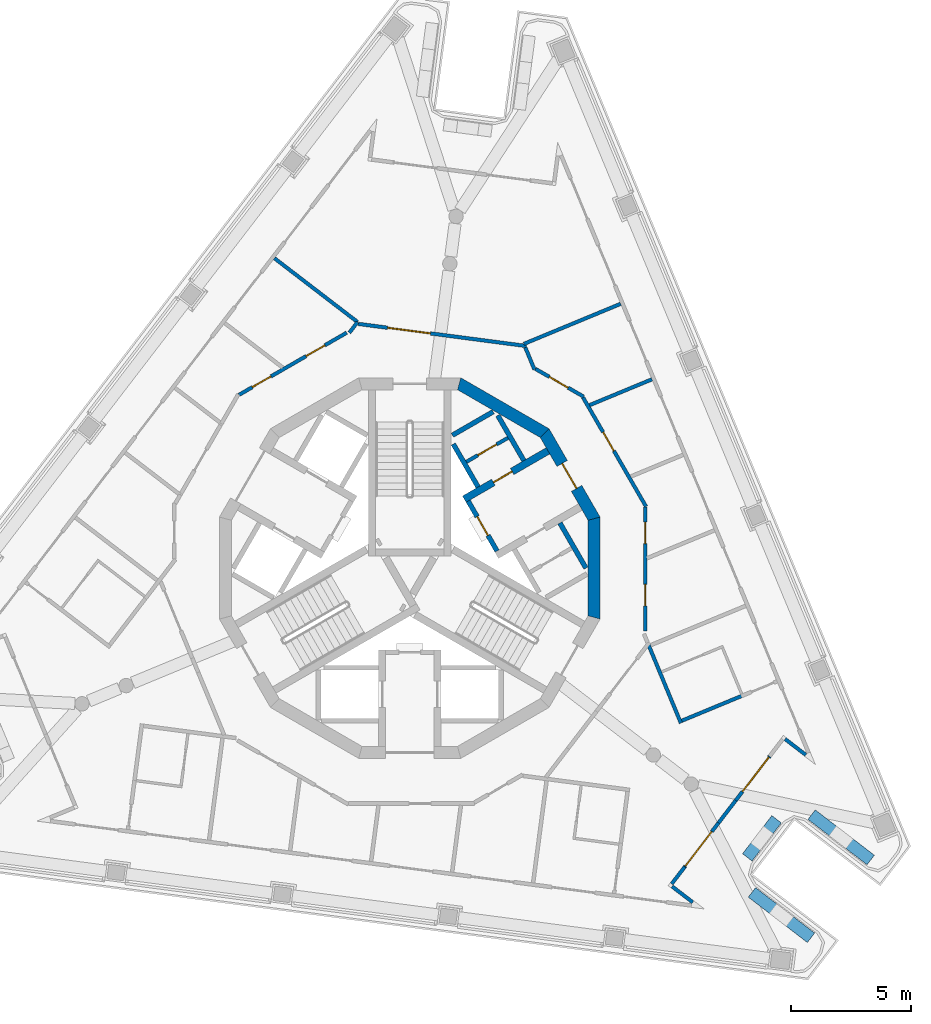
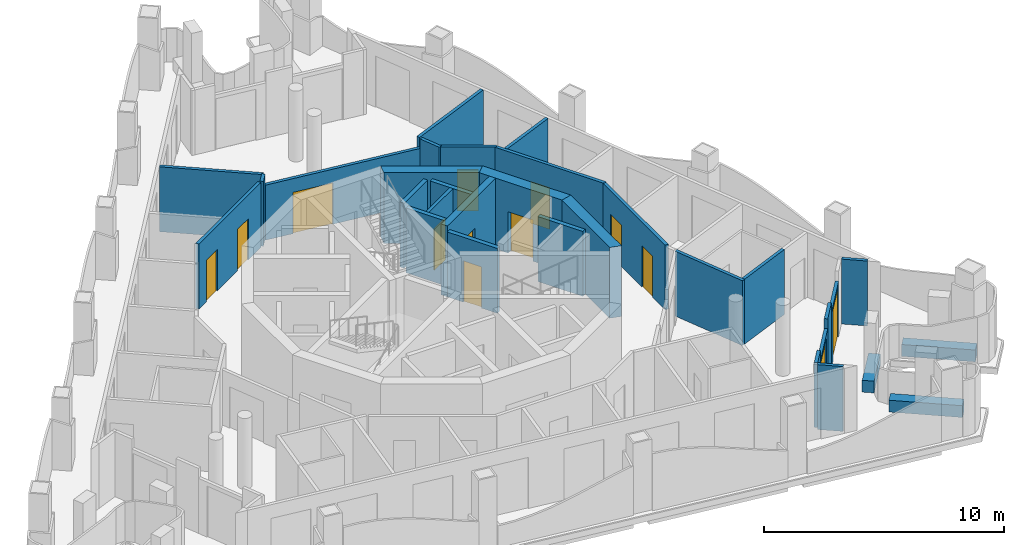
# One storey, part 5 of 12: 31 walls, 13 doors, 13 openings.
"""IFC4 building model written with IfcOpenShell, lengths in metres."""

from ifc_helpers import new_model, si_unit, direction, frame, frame_2d, origin, place, context, subcontext, project, spatial, polyline, rectangle, outline, extrude, material, layer, layer_set, type_object, element, fill, save


model = new_model("IFC4")

# Units and contexts
model_context = context("Model", 3, precision=1e-05, world=origin(), true_north=direction((0.0, 1.0)))
body_context = subcontext(model_context, "Body", "Model", "MODEL_VIEW")
ifc_project = project(units=[si_unit("LENGTHUNIT", "METRE"), si_unit("AREAUNIT", "SQUARE_METRE"), si_unit("VOLUMEUNIT", "CUBIC_METRE"), si_unit("PLANEANGLEUNIT", "RADIAN"), si_unit("MASSUNIT", "GRAM", prefix="KILO")], contexts=[model_context])

# Site, building, storey
site_placement = place(None, origin())
site = spatial("IfcSite", under=ifc_project, at=site_placement, CompositionType="ELEMENT")
building_placement = place(site_placement, origin())
building = spatial("IfcBuilding", under=site, at=building_placement, Name="Trine Commons Tower", CompositionType="ELEMENT")
storey_placement = place(building_placement, frame((0.0, 0.0, 279.0)))
storey = spatial("IfcBuildingStorey", under=building, at=storey_placement, Name="L73", CompositionType="ELEMENT", Elevation=279.0)

# Wall, opening, door
ifc_material_1 = material(Name="Plasterboard partition on steel studs", Category="steel")
ifc_layer_1 = layer(ifc_material_1, 0.14990234375)
ifc_layer_set_1 = layer_set([ifc_layer_1], Name="Plasterboard partition on steel studs")
wall_type_1 = type_object("IfcWallType", Name="Core room partition 150 mm, EI 60", PredefinedType="PARTITIONING", material=ifc_layer_set_1)
wall_1_placement = place(storey_placement, frame((82.35498046875, 66.919921875, 0.0), z_axis=(0.0, 0.0, 1.0), x_axis=(0.866010750942, 0.50002537861, 0.0)))
wall_1 = element("IfcWall", 1, at=wall_1_placement, inside=storey, type_object=wall_type_1, Name="Core room partition L73", PredefinedType="PARTITIONING", context=body_context, shape_type="SweptSolid", body=[
    extrude(rectangle(XDim=2.0, YDim=0.14990234375, at=frame_2d((1.0, 0.0))), origin(), (0.0, 0.0, 1.0), 3.300048828125),
])
opening_1_placement = place(wall_1_placement, frame((0.550537109375, 0.0, 0.0)))
opening_1 = element("IfcOpeningElement", 2, at=opening_1_placement, cuts=wall_1, Name="Opening K19.11", PredefinedType="OPENING", context=body_context, shape_type="SweptSolid", body=[
    extrude(rectangle(XDim=0.89990234375, YDim=2.10009765625, at=frame_2d((0.449951171875, 1.050048828125))), frame((0.0, 0.0849609375, 0.0), z_axis=(0.0, -1.0, 0.0), x_axis=(1.0, 0.0, 0.0)), (0.0, 0.0, 1.0), 0.169921875),
])
ifc_material_2 = material(Name="Steel door leaf, fire-rated", Category="steel")
door_type_1 = type_object("IfcDoorType", Name="Core room door, single leaf 900 x 2100, FD30S", OperationType="SINGLE_SWING_LEFT", PredefinedType="DOOR", material=ifc_material_2)
door_1_placement = place(opening_1_placement, origin())
door_1 = element("IfcDoor", 3, at=door_1_placement, inside=storey, type_object=door_type_1, Name="Door to Comms room L73", OperationType="SINGLE_SWING_RIGHT", OverallHeight=2.10009765625, OverallWidth=0.89990234375, PredefinedType="DOOR", context=body_context, shape_type="SweptSolid", body=[
    extrude(rectangle(XDim=0.89990234375, YDim=2.10009765625, at=frame_2d((0.449951171875, 1.050048828125))), frame((0.0, 0.02490234375, 0.0), z_axis=(0.0, -1.0, 0.0), x_axis=(1.0, 0.0, 0.0)), (0.0, 0.0, 1.0), 0.050048828125),
])
fill(opening_1, door_1)

# Wall
ifc_material_3 = material(Name="Aluminium-framed insulated wall panel", Category="aluminium")
ifc_layer_2 = layer(ifc_material_3, 0.14990234375)
ifc_layer_set_2 = layer_set([ifc_layer_2], Name="Aluminium-framed insulated wall panel")
wall_type_2 = type_object("IfcWallType", Name="Glazed frame wall 150, EI 60", PredefinedType="SOLIDWALL", material=ifc_layer_set_2)
wall_2_placement = place(storey_placement, frame((96.600830078125, 54.633544921875, 0.0), z_axis=(0.0, 0.0, 1.0), x_axis=(-0.793352136239, 0.608762998157, 0.0)))
element("IfcWall", 4, at=wall_2_placement, inside=storey, type_object=wall_type_2, Name="Glazed frame wall R6", PredefinedType="SOLIDWALL", context=body_context, shape_type="SweptSolid", body=[
    extrude(outline(polyline([(0.1494140625, 0.074951171875), (0.1494140625, -0.074951171875), (1.235107421875, -0.074951171875), (1.235107421875, 0.074951171875), (0.1494140625, 0.074951171875)])), origin(), (0.0, 0.0, 1.0), 3.300048828125),
])

# Wall, opening, door
wall_3_placement = place(storey_placement, frame((94.97412109375, 54.665283203125, 0.0), z_axis=(0.0, 0.0, 1.0), x_axis=(-0.608821878019, -0.793306952475, 0.0)))
wall_3 = element("IfcWall", 5, at=wall_3_placement, inside=storey, type_object=wall_type_2, Name="Glazed frame wall P2.2", PredefinedType="SOLIDWALL", context=body_context, shape_type="SweptSolid", body=[
    extrude(outline(polyline([(0.0, -0.074951171875), (2.310791015625, -0.074951171875), (2.310791015625, 0.074951171875), (0.0, 0.074951171875), (0.0, -0.074951171875)])), origin(), (0.0, 0.0, 1.0), 2.800048828125),
])
opening_2_placement = place(wall_3_placement, frame((0.050048828125, 0.0, 0.0)))
opening_2 = element("IfcOpeningElement", 6, at=opening_2_placement, cuts=wall_3, Name="Opening BD-8P2-01", PredefinedType="OPENING", context=body_context, shape_type="SweptSolid", body=[
    extrude(rectangle(XDim=1.800048828125, YDim=2.60009765625, at=frame_2d((0.89990234375, 1.300048828125))), frame((0.0, 0.0849609375, 0.0), z_axis=(0.0, -1.0, 0.0), x_axis=(1.0, 0.0, 0.0)), (0.0, 0.0, 1.0), 0.169921875),
])
ifc_material_4 = material(Name="Anodised aluminium frame with double glazing", Category="aluminium")
door_type_2 = type_object("IfcDoorType", Name="Sliding loggia door 1800x2600", OperationType="SLIDING_TO_LEFT", PredefinedType="DOOR", material=ifc_material_4)
door_2_placement = place(opening_2_placement, origin())
door_2 = element("IfcDoor", 7, at=door_2_placement, inside=storey, type_object=door_type_2, Name="Loggia door P2 1", OperationType="SLIDING_TO_LEFT", OverallHeight=2.60009765625, OverallWidth=1.800048828125, PredefinedType="DOOR", context=body_context, shape_type="SweptSolid", body=[
    extrude(rectangle(XDim=1.800048828125, YDim=2.60009765625, at=frame_2d((0.89990234375, 1.300048828125))), frame((0.0, 0.02490234375, 0.0), z_axis=(0.0, -1.0, 0.0), x_axis=(1.0, 0.0, 0.0)), (0.0, 0.0, 1.0), 0.050048828125),
])
fill(opening_2, door_2)

# Wall
wall_4_placement = place(storey_placement, frame((93.5673828125, 52.832275390625, 0.0), z_axis=(0.0, 0.0, 1.0), x_axis=(-0.608779373124, -0.793339570965, 0.0)))
element("IfcWall", 8, at=wall_4_placement, inside=storey, type_object=wall_type_2, Name="Glazed frame wall P2.3", PredefinedType="SOLIDWALL", context=body_context, shape_type="SweptSolid", body=[
    extrude(outline(polyline([(0.0, -0.074951171875), (1.1787109375, -0.074951171875), (1.1787109375, 0.074951171875), (0.0, 0.074951171875), (0.0, -0.074951171875)])), origin(), (0.0, 0.0, 1.0), 3.300048828125),
])

# Wall, opening, door
wall_5_placement = place(storey_placement, frame((92.849853515625, 51.897216796875, 0.0), z_axis=(0.0, 0.0, 1.0), x_axis=(-0.608770848341, -0.793346112494, 0.0)))
wall_5 = element("IfcWall", 9, at=wall_5_placement, inside=storey, type_object=wall_type_2, Name="Glazed frame wall P2.4", PredefinedType="SOLIDWALL", context=body_context, shape_type="SweptSolid", body=[
    extrude(outline(polyline([(0.0, -0.074951171875), (2.310791015625, -0.074951171875), (2.310791015625, 0.074951171875), (0.0, 0.074951171875), (0.0, -0.074951171875)])), origin(), (0.0, 0.0, 1.0), 2.800048828125),
])
opening_3_placement = place(wall_5_placement, frame((0.460693359375, 0.0, 0.0)))
opening_3 = element("IfcOpeningElement", 10, at=opening_3_placement, cuts=wall_5, Name="Opening BD-8P2-02", PredefinedType="OPENING", context=body_context, shape_type="SweptSolid", body=[
    extrude(rectangle(XDim=1.800048828125, YDim=2.60009765625, at=frame_2d((0.89990234375, 1.300048828125))), frame((0.0, 0.0849609375, 0.0), z_axis=(0.0, -1.0, 0.0), x_axis=(1.0, 0.0, 0.0)), (0.0, 0.0, 1.0), 0.169921875),
])
door_3_placement = place(opening_3_placement, origin())
door_3 = element("IfcDoor", 11, at=door_3_placement, inside=storey, type_object=door_type_2, Name="Loggia door P2 2", OperationType="SLIDING_TO_LEFT", OverallHeight=2.60009765625, OverallWidth=1.800048828125, PredefinedType="DOOR", context=body_context, shape_type="SweptSolid", body=[
    extrude(rectangle(XDim=1.800048828125, YDim=2.60009765625, at=frame_2d((0.89990234375, 1.300048828125))), frame((0.0, 0.02490234375, 0.0), z_axis=(0.0, -1.0, 0.0), x_axis=(1.0, 0.0, 0.0)), (0.0, 0.0, 1.0), 0.050048828125),
])
fill(opening_3, door_3)

# Walls
wall_6_placement = place(storey_placement, frame((91.443115234375, 50.06396484375, 0.0), z_axis=(0.0, 0.0, 1.0), x_axis=(-0.60863653794, -0.793449156962, 0.0)))
element("IfcWall", 12, at=wall_6_placement, inside=storey, type_object=wall_type_2, Name="Glazed frame wall P2.5", PredefinedType="SOLIDWALL", context=body_context, shape_type="SweptSolid", body=[
    extrude(outline(polyline([(0.889892578125, 0.074951171875), (0.0, 0.074951171875), (0.0, -0.074951171875), (0.889892578125, -0.074951171875), (0.889892578125, 0.074951171875)])), origin(), (0.0, 0.0, 1.0), 3.300048828125),
])
wall_7_placement = place(storey_placement, frame((90.827880859375, 49.319580078125, 0.0), z_axis=(0.0, 0.0, 1.0), x_axis=(0.793439797287, -0.608648739488, 0.0)))
element("IfcWall", 13, at=wall_7_placement, inside=storey, type_object=wall_type_2, Name="Glazed frame wall R8", PredefinedType="SOLIDWALL", context=body_context, shape_type="SweptSolid", body=[
    extrude(outline(polyline([(0.110107421875, 0.074951171875), (0.110107421875, -0.074951171875), (1.19580078125, -0.074951171875), (1.19580078125, 0.074951171875), (0.110107421875, 0.074951171875)])), origin(), (0.0, 0.0, 1.0), 3.300048828125),
])

# Wall, opening, door
ifc_material_5 = material(Name="Fire-rated gypsum shaft wall system")
ifc_layer_3 = layer(ifc_material_5, 0.199951171875)
ifc_layer_set_3 = layer_set([ifc_layer_3], Name="Fire-rated gypsum shaft wall system")
wall_type_3 = type_object("IfcWallType", Name="Lobby end wall 200 mm, EI 120", PredefinedType="PARTITIONING", material=ifc_layer_set_3)
wall_8_placement = place(storey_placement, frame((83.631103515625, 63.2109375, 0.0), z_axis=(0.0, 0.0, 1.0), x_axis=(-0.50012165622, 0.865955154139, 0.0)))
wall_8 = element("IfcWall", 14, at=wall_8_placement, inside=storey, type_object=wall_type_3, Name="Lobby end wall L73", PredefinedType="PARTITIONING", context=body_context, shape_type="SweptSolid", body=[
    extrude(rectangle(XDim=2.39990234375, YDim=0.199951171875, at=frame_2d((1.199951171875, 0.0))), origin(), (0.0, 0.0, 1.0), 3.300048828125),
])
opening_4_placement = place(wall_8_placement, frame((0.749755859375, 0.0, 0.0)))
opening_4 = element("IfcOpeningElement", 15, at=opening_4_placement, cuts=wall_8, Name="Opening K19.05", PredefinedType="OPENING", context=body_context, shape_type="SweptSolid", body=[
    extrude(rectangle(XDim=0.89990234375, YDim=2.10009765625, at=frame_2d((0.449951171875, 1.050048828125))), frame((0.0, 0.10986328125, 0.0), z_axis=(0.0, -1.0, 0.0), x_axis=(1.0, 0.0, 0.0)), (0.0, 0.0, 1.0), 0.219970703125),
])
door_type_3 = type_object("IfcDoorType", Name="Riser access door, single leaf 900 x 2100, FD60", OperationType="SINGLE_SWING_LEFT", PredefinedType="DOOR", material=ifc_material_2)
door_4_placement = place(opening_4_placement, frame((0.89990234375, 0.0, 0.0), z_axis=(0.0, 0.0, 1.0), x_axis=(-1.0, 0.0, 0.0)))
door_4 = element("IfcDoor", 16, at=door_4_placement, inside=storey, type_object=door_type_3, Name="Riser door, Electrical riser L73", OperationType="SINGLE_SWING_LEFT", OverallHeight=2.10009765625, OverallWidth=0.89990234375, PredefinedType="DOOR", context=body_context, shape_type="SweptSolid", body=[
    extrude(rectangle(XDim=0.89990234375, YDim=2.10009765625, at=frame_2d((0.449951171875, 1.050048828125))), frame((0.0, 0.02490234375, 0.0), z_axis=(0.0, -1.0, 0.0), x_axis=(1.0, 0.0, 0.0)), (0.0, 0.0, 1.0), 0.050048828125),
])
fill(opening_4, door_4)

# Walls
ifc_material_6 = material(Name="Planter trough, precast concrete C40/50", Category="concrete")
ifc_layer_4 = layer(ifc_material_6, 0.5)
ifc_layer_set_4 = layer_set([ifc_layer_4], Name="Planter trough, precast concrete C40/50")
wall_type_4 = type_object("IfcWallType", Name="Planter trough 500x600", PredefinedType="PARAPET", material=ifc_layer_set_4)
wall_9_placement = place(storey_placement, frame((99.182861328125, 50.351806640625, 0.0), z_axis=(0.0, 0.0, 1.0), x_axis=(-0.793355321014, 0.608758847671, 0.0)))
element("IfcWall", 17, at=wall_9_placement, inside=storey, type_object=wall_type_4, Name="Planter 7", PredefinedType="PARAPET", context=body_context, shape_type="SweptSolid", body=[
    extrude(rectangle(XDim=3.10009765625, YDim=0.5, at=frame_2d((1.550048828125, 0.0))), origin(), (0.0, 0.0, 1.0), 0.60009765625),
])
wall_10_placement = place(storey_placement, frame((95.265380859375, 52.047119140625, 0.0), z_axis=(0.0, 0.0, 1.0), x_axis=(-0.608790203715, -0.793331259853, 0.0)))
element("IfcWall", 18, at=wall_10_placement, inside=storey, type_object=wall_type_4, Name="Planter 8", PredefinedType="PARAPET", context=body_context, shape_type="SweptSolid", body=[
    extrude(rectangle(XDim=2.000244140625, YDim=0.5, at=frame_2d((1.0, 0.0))), origin(), (0.0, 0.0, 1.0), 0.60009765625),
])
wall_11_placement = place(storey_placement, frame((94.23974609375, 49.002197265625, 0.0), z_axis=(0.0, 0.0, 1.0), x_axis=(0.793355321014, -0.608758847671, 0.0)))
element("IfcWall", 19, at=wall_11_placement, inside=storey, type_object=wall_type_4, Name="Planter 9", PredefinedType="PARAPET", context=body_context, shape_type="SweptSolid", body=[
    extrude(rectangle(XDim=3.10009765625, YDim=0.5, at=frame_2d((1.550048828125, 0.0))), origin(), (0.0, 0.0, 1.0), 0.60009765625),
])

# Wall, opening, door
ifc_material_7 = material(Name="Concrete C50/60", Category="concrete")
ifc_layer_5 = layer(ifc_material_7, 0.300048828125)
ifc_layer_set_5 = layer_set([ifc_layer_5], Name="Concrete C50/60")
wall_type_5 = type_object("IfcWallType", Name="RC shear wall 300 mm, C50/60", PredefinedType="SHEAR", material=ifc_layer_set_5)
wall_12_placement = place(storey_placement, frame((82.26904296875, 65.368896484375, 0.0), z_axis=(0.0, 0.0, 1.0), x_axis=(0.866056154689, 0.499946734088, 0.0)))
wall_12 = element("IfcWall", 20, at=wall_12_placement, inside=storey, type_object=wall_type_5, Name="Core cross wall SWD-05 L73", PredefinedType="SHEAR", context=body_context, shape_type="SweptSolid", body=[
    extrude(rectangle(XDim=4.0205078125, YDim=0.300048828125, at=frame_2d((2.01025390625, 0.0))), origin(), (0.0, 0.0, 1.0), 3.60009765625),
])
opening_5_placement = place(wall_12_placement, frame((1.400390625, 0.0, 0.0)))
opening_5 = element("IfcOpeningElement", 21, at=opening_5_placement, cuts=wall_12, Name="Opening K19.10", PredefinedType="OPENING", context=body_context, shape_type="SweptSolid", body=[
    extrude(rectangle(XDim=0.89990234375, YDim=2.10009765625, at=frame_2d((0.449951171875, 1.050048828125))), frame((0.0, 0.159912109375, 0.0), z_axis=(0.0, -1.0, 0.0), x_axis=(1.0, 0.0, 0.0)), (0.0, 0.0, 1.0), 0.320068359375),
])
door_5_placement = place(opening_5_placement, origin())
door_5 = element("IfcDoor", 22, at=door_5_placement, inside=storey, type_object=door_type_1, Name="Door to Pantry L73", OperationType="SINGLE_SWING_LEFT", OverallHeight=2.10009765625, OverallWidth=0.89990234375, PredefinedType="DOOR", context=body_context, shape_type="SweptSolid", body=[
    extrude(rectangle(XDim=0.89990234375, YDim=2.10009765625, at=frame_2d((0.449951171875, 1.050048828125))), frame((0.0, 0.02490234375, 0.0), z_axis=(0.0, -1.0, 0.0), x_axis=(1.0, 0.0, 0.0)), (0.0, 0.0, 1.0), 0.050048828125),
])
fill(opening_5, door_5)

# Wall
ifc_layer_6 = layer(ifc_material_7, 0.5)
ifc_layer_set_6 = layer_set([ifc_layer_6], Name="Concrete C50/60")
wall_type_6 = type_object("IfcWallType", Name="RC shear wall 500 mm, C50/60", PredefinedType="SHEAR", material=ifc_layer_set_6)
wall_13_placement = place(storey_placement, frame((87.670654296875, 60.377685546875, 0.0), z_axis=(0.0, 0.0, 1.0), x_axis=(0.0, 1.0, 0.0)))
element("IfcWall", 23, at=wall_13_placement, inside=storey, type_object=wall_type_6, Name="Core wall CWH-01 L73", PredefinedType="SHEAR", context=body_context, shape_type="SweptSolid", body=[
    extrude(outline(polyline([(0.0, -0.25), (4.24462890625, -0.25), (4.110595703125, 0.25), (0.134033203125, 0.25), (0.0, -0.25)])), origin(), (0.0, 0.0, 1.0), 3.60009765625),
])

# Wall, opening, door
wall_14_placement = place(storey_placement, frame((87.7041015625, 64.497314453125, 0.0), z_axis=(0.0, 0.0, 1.0), x_axis=(-0.499992968425, 0.866029463428, 0.0)))
wall_14 = element("IfcWall", 24, at=wall_14_placement, inside=storey, type_object=wall_type_6, Name="Core wall CWH-02 L73", PredefinedType="SHEAR", context=body_context, shape_type="SweptSolid", body=[
    extrude(outline(polyline([(0.0, -0.25), (4.24462890625, -0.25), (4.110595703125, 0.25), (0.134033203125, 0.25), (0.0, -0.25)])), origin(), (0.0, 0.0, 1.0), 3.60009765625),
])
opening_6_placement = place(wall_14_placement, frame((1.5224609375, 0.0, 0.0)))
opening_6 = element("IfcOpeningElement", 25, at=opening_6_placement, cuts=wall_14, Name="Opening K19.04", PredefinedType="OPENING", context=body_context, shape_type="SweptSolid", body=[
    extrude(rectangle(XDim=1.199951171875, YDim=2.10009765625, at=frame_2d((0.60009765625, 1.050048828125))), frame((0.0, 0.260009765625, 0.0), z_axis=(0.0, -1.0, 0.0), x_axis=(1.0, 0.0, 0.0)), (0.0, 0.0, 1.0), 0.52001953125),
])
ifc_material_8 = material(Name="Steel door leaves, fire-rated", Category="steel")
door_type_4 = type_object("IfcDoorType", Name="Lobby door, double leaf 1200 x 2100, FD60", OperationType="DOUBLE_DOOR_SINGLE_SWING", PredefinedType="DOOR", material=ifc_material_8)
door_6_placement = place(opening_6_placement, origin())
door_6 = element("IfcDoor", 26, at=door_6_placement, inside=storey, type_object=door_type_4, Name="Lobby door, Core lounge L73", OperationType="DOUBLE_DOOR_SINGLE_SWING", OverallHeight=2.10009765625, OverallWidth=1.199951171875, PredefinedType="DOOR", context=body_context, shape_type="SweptSolid", body=[
    extrude(rectangle(XDim=1.199951171875, YDim=2.10009765625, at=frame_2d((0.60009765625, 1.050048828125))), frame((0.0, 0.02490234375, 0.0), z_axis=(0.0, -1.0, 0.0), x_axis=(1.0, 0.0, 0.0)), (0.0, 0.0, 1.0), 0.050048828125),
])
fill(opening_6, door_6)

# Walls
wall_15_placement = place(storey_placement, frame((85.67333984375, 68.081787109375, 0.0), z_axis=(0.0, 0.0, 1.0), x_axis=(-0.866029463428, 0.499992968425, 0.0)))
element("IfcWall", 27, at=wall_15_placement, inside=storey, type_object=wall_type_6, Name="Core wall CWH-03 L73", PredefinedType="SHEAR", context=body_context, shape_type="SweptSolid", body=[
    extrude(outline(polyline([(0.0, -0.25), (4.24462890625, -0.25), (4.110595703125, 0.25), (0.134033203125, 0.25), (0.0, -0.25)])), origin(), (0.0, 0.0, 1.0), 3.60009765625),
])
ifc_layer_7 = layer(ifc_material_5, 0.199951171875)
ifc_layer_set_7 = layer_set([ifc_layer_7], Name="Fire-rated gypsum shaft wall system")
wall_type_7 = type_object("IfcWallType", Name="Shaft wall 200 mm, EI 120", PredefinedType="PARTITIONING", material=ifc_layer_set_7)
wall_16_placement = place(storey_placement, frame((81.77490234375, 68.028076171875, 0.0), z_axis=(0.0, 0.0, 1.0), x_axis=(0.866071410914, 0.499920304846, 0.0)))
element("IfcWall", 28, at=wall_16_placement, inside=storey, type_object=wall_type_7, Name="Shaft wall L73", PredefinedType="PARTITIONING", context=body_context, shape_type="SweptSolid", body=[
    extrude(rectangle(XDim=1.958251953125, YDim=0.199951171875, at=frame_2d((0.97900390625, 0.0))), origin(), (0.0, 0.0, 1.0), 3.300048828125),
])
wall_17_placement = place(storey_placement, frame((82.843994140625, 65.8740234375, 0.0), z_axis=(0.0, 0.0, 1.0), x_axis=(-0.499865770674, 0.866102887253, 0.0)))
element("IfcWall", 29, at=wall_17_placement, inside=storey, type_object=wall_type_7, Name="Shaft wall L73", PredefinedType="PARTITIONING", context=body_context, shape_type="SweptSolid", body=[
    extrude(rectangle(XDim=2.064453125, YDim=0.199951171875, at=frame_2d((1.0322265625, 0.0))), origin(), (0.0, 0.0, 1.0), 3.300048828125),
])
wall_18_placement = place(storey_placement, frame((84.7490234375, 66.97412109375, 0.0), z_axis=(0.0, 0.0, 1.0), x_axis=(-0.500060114735, 0.865990693744, 0.0)))
element("IfcWall", 30, at=wall_18_placement, inside=storey, type_object=wall_type_7, Name="Shaft wall L73", PredefinedType="PARTITIONING", context=body_context, shape_type="SweptSolid", body=[
    extrude(rectangle(XDim=2.169677734375, YDim=0.199951171875, at=frame_2d((1.0849609375, 0.0))), origin(), (0.0, 0.0, 1.0), 3.300048828125),
])
wall_19_placement = place(storey_placement, frame((86.2490234375, 64.3759765625, 0.0), z_axis=(0.0, 0.0, 1.0), x_axis=(0.499865263774, -0.866103179807, 0.0)))
element("IfcWall", 31, at=wall_19_placement, inside=storey, type_object=wall_type_7, Name="Shaft wall L73", PredefinedType="PARTITIONING", context=body_context, shape_type="SweptSolid", body=[
    extrude(rectangle(XDim=2.17041015625, YDim=0.199951171875, at=frame_2d((1.085205078125, 0.0))), origin(), (0.0, 0.0, 1.0), 3.300048828125),
])

# Wall, openings, doors
ifc_material_9 = material(Name="Gypsum plasterboard on steel stud", Category="steel")
ifc_layer_8 = layer(ifc_material_9, 0.14990234375)
ifc_layer_set_8 = layer_set([ifc_layer_8], Name="Gypsum plasterboard on steel stud")
wall_type_8 = type_object("IfcWallType", Name="Unit and corridor wall 150 mm, EI 60", PredefinedType="PARTITIONING", material=ifc_layer_set_8)
wall_20_placement = place(storey_placement, frame((72.893798828125, 69.70849609375, 0.0), z_axis=(0.0, 0.0, 1.0), x_axis=(0.866010370781, 0.500026037022, 0.0)))
wall_20 = element("IfcWall", 32, at=wall_20_placement, inside=storey, type_object=wall_type_8, Name="Partition 024", PredefinedType="PARTITIONING", context=body_context, shape_type="SweptSolid", body=[
    extrude(rectangle(XDim=5.174560546875, YDim=0.14990234375, at=frame_2d((2.58740234375, 0.0))), origin(), (0.0, 0.0, 1.0), 3.300048828125),
])
opening_7_placement = place(wall_20_placement, frame((0.636474609375, 0.0, 0.0)))
opening_7 = element("IfcOpeningElement", 33, at=opening_7_placement, cuts=wall_20, Name="Opening D-8A07", PredefinedType="OPENING", context=body_context, shape_type="SweptSolid", body=[
    extrude(rectangle(XDim=0.89990234375, YDim=2.10009765625, at=frame_2d((0.449951171875, 1.050048828125))), frame((0.0, 0.0849609375, 0.0), z_axis=(0.0, -1.0, 0.0), x_axis=(1.0, 0.0, 0.0)), (0.0, 0.0, 1.0), 0.169921875),
])
opening_8_placement = place(wall_20_placement, frame((3.223876953125, 0.0, 0.0)))
opening_8 = element("IfcOpeningElement", 34, at=opening_8_placement, cuts=wall_20, Name="Opening D-8A08", PredefinedType="OPENING", context=body_context, shape_type="SweptSolid", body=[
    extrude(rectangle(XDim=0.89990234375, YDim=2.10009765625, at=frame_2d((0.449951171875, 1.050048828125))), frame((0.0, 0.0849609375, 0.0), z_axis=(0.0, -1.0, 0.0), x_axis=(1.0, 0.0, 0.0)), (0.0, 0.0, 1.0), 0.169921875),
])
ifc_material_10 = material(Name="Timber fire door set", Category="wood")
door_type_5 = type_object("IfcDoorType", Name="Service door 900 x 2100, FD30S", OperationType="NOTDEFINED", PredefinedType="DOOR", material=ifc_material_10)
door_7_placement = place(opening_7_placement, origin())
door_7 = element("IfcDoor", 35, at=door_7_placement, inside=storey, type_object=door_type_5, Name="Door D-8A07", OperationType="SINGLE_SWING_LEFT", OverallHeight=2.10009765625, OverallWidth=0.89990234375, PredefinedType="DOOR", context=body_context, shape_type="SweptSolid", body=[
    extrude(rectangle(XDim=0.89990234375, YDim=2.10009765625, at=frame_2d((0.449951171875, 1.050048828125))), frame((0.0, 0.02490234375, 0.0), z_axis=(0.0, -1.0, 0.0), x_axis=(1.0, 0.0, 0.0)), (0.0, 0.0, 1.0), 0.050048828125),
])
fill(opening_7, door_7)
door_8_placement = place(opening_8_placement, origin())
door_8 = element("IfcDoor", 36, at=door_8_placement, inside=storey, type_object=door_type_5, Name="Door D-8A08", OperationType="SINGLE_SWING_RIGHT", OverallHeight=2.10009765625, OverallWidth=0.89990234375, PredefinedType="DOOR", context=body_context, shape_type="SweptSolid", body=[
    extrude(rectangle(XDim=0.89990234375, YDim=2.10009765625, at=frame_2d((0.449951171875, 1.050048828125))), frame((0.0, 0.02490234375, 0.0), z_axis=(0.0, -1.0, 0.0), x_axis=(1.0, 0.0, 0.0)), (0.0, 0.0, 1.0), 0.050048828125),
])
fill(opening_8, door_8)

# Walls
wall_21_placement = place(storey_placement, frame((74.36865234375, 75.39453125, 0.0), z_axis=(0.0, 0.0, 1.0), x_axis=(0.793333223514, -0.608787644807, 0.0)))
element("IfcWall", 37, at=wall_21_placement, inside=storey, type_object=wall_type_8, Name="Partition 025", PredefinedType="PARTITIONING", context=body_context, shape_type="SweptSolid", body=[
    extrude(rectangle(XDim=4.3603515625, YDim=0.14990234375, at=frame_2d((2.18017578125, 0.0))), origin(), (0.0, 0.0, 1.0), 3.300048828125),
])
wall_22_placement = place(storey_placement, frame((77.487060546875, 72.2958984375, 0.0), z_axis=(0.0, 0.0, 1.0), x_axis=(0.608207837142, 0.793777819569, 0.0)))
element("IfcWall", 38, at=wall_22_placement, inside=storey, type_object=wall_type_8, Name="Partition 028", PredefinedType="PARTITIONING", context=body_context, shape_type="SweptSolid", body=[
    extrude(rectangle(XDim=0.550048828125, YDim=0.14990234375, at=frame_2d((0.27490234375, 0.0))), origin(), (0.0, 0.0, 1.0), 3.300048828125),
])

# Wall, opening, door
wall_23_placement = place(storey_placement, frame((77.850341796875, 72.6630859375, 0.0), z_axis=(0.0, 0.0, 1.0), x_axis=(0.991451590302, -0.130475070748, 0.0)))
wall_23 = element("IfcWall", 39, at=wall_23_placement, inside=storey, type_object=wall_type_8, Name="Partition 029", PredefinedType="PARTITIONING", context=body_context, shape_type="SweptSolid", body=[
    extrude(rectangle(XDim=7.0654296875, YDim=0.14990234375, at=frame_2d((3.53271484375, 0.0))), origin(), (0.0, 0.0, 1.0), 2.800048828125),
])
opening_9_placement = place(wall_23_placement, frame((1.236572265625, 0.0, 0.0)))
opening_9 = element("IfcOpeningElement", 40, at=opening_9_placement, cuts=wall_23, Name="Opening D-8A01", PredefinedType="OPENING", context=body_context, shape_type="SweptSolid", body=[
    extrude(rectangle(XDim=1.800048828125, YDim=2.10009765625, at=frame_2d((0.89990234375, 1.050048828125))), frame((0.0, 0.0849609375, 0.0), z_axis=(0.0, -1.0, 0.0), x_axis=(1.0, 0.0, 0.0)), (0.0, 0.0, 1.0), 0.169921875),
])
door_type_6 = type_object("IfcDoorType", Name="Cluster entrance door 1800 x 2100, double leaf, FD30S", OperationType="DOUBLE_DOOR_DOUBLE_SWING", PredefinedType="DOOR", material=ifc_material_10)
door_9_placement = place(opening_9_placement, origin())
door_9 = element("IfcDoor", 41, at=door_9_placement, inside=storey, type_object=door_type_6, Name="Door D-8A01", OperationType="DOUBLE_DOOR_DOUBLE_SWING", OverallHeight=2.10009765625, OverallWidth=1.800048828125, PredefinedType="DOOR", context=body_context, shape_type="SweptSolid", body=[
    extrude(rectangle(XDim=1.800048828125, YDim=2.10009765625, at=frame_2d((0.89990234375, 1.050048828125))), frame((0.0, 0.02490234375, 0.0), z_axis=(0.0, -1.0, 0.0), x_axis=(1.0, 0.0, 0.0)), (0.0, 0.0, 1.0), 0.050048828125),
])
fill(opening_9, door_9)

# Walls
wall_24_placement = place(storey_placement, frame((84.7490234375, 71.8291015625, 0.0), z_axis=(0.0, 0.0, 1.0), x_axis=(0.923861903396, 0.382725990042, 0.0)))
element("IfcWall", 42, at=wall_24_placement, inside=storey, type_object=wall_type_8, Name="Partition 034", PredefinedType="PARTITIONING", context=body_context, shape_type="SweptSolid", body=[
    extrude(rectangle(XDim=4.360107421875, YDim=0.14990234375, at=frame_2d((2.18017578125, 0.0))), origin(), (0.0, 0.0, 1.0), 3.300048828125),
])
wall_25_placement = place(storey_placement, frame((84.809814453125, 71.681640625, 0.0), z_axis=(0.0, 0.0, 1.0), x_axis=(0.382525049986, -0.923945120737, 0.0)))
element("IfcWall", 43, at=wall_25_placement, inside=storey, type_object=wall_type_8, Name="Partition 035", PredefinedType="PARTITIONING", context=body_context, shape_type="SweptSolid", body=[
    extrude(rectangle(XDim=0.99560546875, YDim=0.14990234375, at=frame_2d((0.497802734375, 0.0))), origin(), (0.0, 0.0, 1.0), 3.300048828125),
])

# Wall, opening, door
wall_26_placement = place(storey_placement, frame((85.22705078125, 70.79345703125, 0.0), z_axis=(0.0, 0.0, 1.0), x_axis=(0.866026103983, -0.499998787219, 0.0)))
wall_26 = element("IfcWall", 44, at=wall_26_placement, inside=storey, type_object=wall_type_8, Name="Partition 037", PredefinedType="PARTITIONING", context=body_context, shape_type="SweptSolid", body=[
    extrude(rectangle(XDim=2.31982421875, YDim=0.14990234375, at=frame_2d((1.159912109375, 0.0))), origin(), (0.0, 0.0, 1.0), 3.300048828125),
])
opening_10_placement = place(wall_26_placement, frame((0.672607421875, 0.0, 0.0)))
opening_10 = element("IfcOpeningElement", 45, at=opening_10_placement, cuts=wall_26, Name="Opening D-8A09", PredefinedType="OPENING", context=body_context, shape_type="SweptSolid", body=[
    extrude(rectangle(XDim=0.89990234375, YDim=2.10009765625, at=frame_2d((0.449951171875, 1.050048828125))), frame((0.0, 0.0849609375, 0.0), z_axis=(0.0, -1.0, 0.0), x_axis=(1.0, 0.0, 0.0)), (0.0, 0.0, 1.0), 0.169921875),
])
door_10_placement = place(opening_10_placement, origin())
door_10 = element("IfcDoor", 46, at=door_10_placement, inside=storey, type_object=door_type_5, Name="Door D-8A09", OperationType="SINGLE_SWING_LEFT", OverallHeight=2.10009765625, OverallWidth=0.89990234375, PredefinedType="DOOR", context=body_context, shape_type="SweptSolid", body=[
    extrude(rectangle(XDim=0.89990234375, YDim=2.10009765625, at=frame_2d((0.449951171875, 1.050048828125))), frame((0.0, 0.02490234375, 0.0), z_axis=(0.0, -1.0, 0.0), x_axis=(1.0, 0.0, 0.0)), (0.0, 0.0, 1.0), 0.050048828125),
])
fill(opening_10, door_10)

wall_27_placement = place(storey_placement, frame((87.20849609375, 69.606201171875, 0.0), z_axis=(0.0, 0.0, 1.0), x_axis=(0.500040482552, -0.866002029911, 0.0)))
wall_27 = element("IfcWall", 47, at=wall_27_placement, inside=storey, type_object=wall_type_8, Name="Partition 042", PredefinedType="PARTITIONING", context=body_context, shape_type="SweptSolid", body=[
    extrude(rectangle(XDim=5.24951171875, YDim=0.14990234375, at=frame_2d((2.624755859375, 0.0))), origin(), (0.0, 0.0, 1.0), 3.300048828125),
])
opening_11_placement = place(wall_27_placement, frame((1.674560546875, 0.0, 0.0)))
opening_11 = element("IfcOpeningElement", 48, at=opening_11_placement, cuts=wall_27, Name="Opening D-8A10", PredefinedType="OPENING", context=body_context, shape_type="SweptSolid", body=[
    extrude(rectangle(XDim=0.89990234375, YDim=2.10009765625, at=frame_2d((0.449951171875, 1.050048828125))), frame((0.0, 0.0849609375, 0.0), z_axis=(0.0, -1.0, 0.0), x_axis=(1.0, 0.0, 0.0)), (0.0, 0.0, 1.0), 0.169921875),
])
door_11_placement = place(opening_11_placement, origin())
door_11 = element("IfcDoor", 49, at=door_11_placement, inside=storey, type_object=door_type_5, Name="Door D-8A10", OperationType="SINGLE_SWING_LEFT", OverallHeight=2.10009765625, OverallWidth=0.89990234375, PredefinedType="DOOR", context=body_context, shape_type="SweptSolid", body=[
    extrude(rectangle(XDim=0.89990234375, YDim=2.10009765625, at=frame_2d((0.449951171875, 1.050048828125))), frame((0.0, 0.02490234375, 0.0), z_axis=(0.0, -1.0, 0.0), x_axis=(1.0, 0.0, 0.0)), (0.0, 0.0, 1.0), 0.050048828125),
])
fill(opening_11, door_11)

# Wall
wall_28_placement = place(storey_placement, frame((87.482421875, 69.27978515625, 0.0), z_axis=(0.0, 0.0, 1.0), x_axis=(0.923772104672, 0.382942683218, 0.0)))
element("IfcWall", 50, at=wall_28_placement, inside=storey, type_object=wall_type_8, Name="Partition 043", PredefinedType="PARTITIONING", context=body_context, shape_type="SweptSolid", body=[
    extrude(rectangle(XDim=2.8095703125, YDim=0.14990234375, at=frame_2d((1.40478515625, 0.0))), origin(), (0.0, 0.0, 1.0), 3.300048828125),
])

# Wall, openings, doors
wall_29_placement = place(storey_placement, frame((89.7958984375, 59.875, 0.0), z_axis=(0.0, 0.0, 1.0), x_axis=(0.0, 1.0, 0.0)))
wall_29 = element("IfcWall", 51, at=wall_29_placement, inside=storey, type_object=wall_type_8, Name="Partition 050", PredefinedType="PARTITIONING", context=body_context, shape_type="SweptSolid", body=[
    extrude(rectangle(XDim=5.175048828125, YDim=0.14990234375, at=frame_2d((2.58740234375, 0.0))), origin(), (0.0, 0.0, 1.0), 3.300048828125),
])
opening_12_placement = place(wall_29_placement, frame((3.637939453125, 0.0, 0.0)))
opening_12 = element("IfcOpeningElement", 52, at=opening_12_placement, cuts=wall_29, Name="Opening D-8A11", PredefinedType="OPENING", context=body_context, shape_type="SweptSolid", body=[
    extrude(rectangle(XDim=0.89990234375, YDim=2.10009765625, at=frame_2d((0.449951171875, 1.050048828125))), frame((0.0, 0.0849609375, 0.0), z_axis=(0.0, -1.0, 0.0), x_axis=(1.0, 0.0, 0.0)), (0.0, 0.0, 1.0), 0.169921875),
])
opening_13_placement = place(wall_29_placement, frame((1.050537109375, 0.0, 0.0)))
opening_13 = element("IfcOpeningElement", 53, at=opening_13_placement, cuts=wall_29, Name="Opening D-8A12", PredefinedType="OPENING", context=body_context, shape_type="SweptSolid", body=[
    extrude(rectangle(XDim=0.89990234375, YDim=2.10009765625, at=frame_2d((0.449951171875, 1.050048828125))), frame((0.0, 0.0849609375, 0.0), z_axis=(0.0, -1.0, 0.0), x_axis=(1.0, 0.0, 0.0)), (0.0, 0.0, 1.0), 0.169921875),
])
door_12_placement = place(opening_12_placement, frame((0.89990234375, 0.0, 0.0), z_axis=(0.0, 0.0, 1.0), x_axis=(-1.0, 0.0, 0.0)))
door_12 = element("IfcDoor", 54, at=door_12_placement, inside=storey, type_object=door_type_5, Name="Door D-8A11", OperationType="SINGLE_SWING_LEFT", OverallHeight=2.10009765625, OverallWidth=0.89990234375, PredefinedType="DOOR", context=body_context, shape_type="SweptSolid", body=[
    extrude(rectangle(XDim=0.89990234375, YDim=2.10009765625, at=frame_2d((0.449951171875, 1.050048828125))), frame((0.0, 0.02490234375, 0.0), z_axis=(0.0, -1.0, 0.0), x_axis=(1.0, 0.0, 0.0)), (0.0, 0.0, 1.0), 0.050048828125),
])
fill(opening_12, door_12)
door_13_placement = place(opening_13_placement, frame((0.89990234375, 0.0, 0.0), z_axis=(0.0, 0.0, 1.0), x_axis=(-1.0, 0.0, 0.0)))
door_13 = element("IfcDoor", 55, at=door_13_placement, inside=storey, type_object=door_type_5, Name="Door D-8A12", OperationType="SINGLE_SWING_RIGHT", OverallHeight=2.10009765625, OverallWidth=0.89990234375, PredefinedType="DOOR", context=body_context, shape_type="SweptSolid", body=[
    extrude(rectangle(XDim=0.89990234375, YDim=2.10009765625, at=frame_2d((0.449951171875, 1.050048828125))), frame((0.0, 0.02490234375, 0.0), z_axis=(0.0, -1.0, 0.0), x_axis=(1.0, 0.0, 0.0)), (0.0, 0.0, 1.0), 0.050048828125),
])
fill(opening_13, door_13)

# Walls
wall_30_placement = place(storey_placement, frame((89.92529296875, 59.330322265625, 0.0), z_axis=(0.0, 0.0, 1.0), x_axis=(0.382813258481, -0.923825746086, 0.0)))
element("IfcWall", 56, at=wall_30_placement, inside=storey, type_object=wall_type_8, Name="Partition 052", PredefinedType="PARTITIONING", context=body_context, shape_type="SweptSolid", body=[
    extrude(rectangle(XDim=3.551025390625, YDim=0.14990234375, at=frame_2d((1.775390625, 0.0))), origin(), (0.0, 0.0, 1.0), 3.300048828125),
])
wall_31_placement = place(storey_placement, frame((91.3251953125, 56.147705078125, 0.0), z_axis=(0.0, 0.0, 1.0), x_axis=(0.923924177369, 0.382575632356, 0.0)))
element("IfcWall", 57, at=wall_31_placement, inside=storey, type_object=wall_type_8, Name="Partition 055", PredefinedType="PARTITIONING", context=body_context, shape_type="SweptSolid", body=[
    extrude(rectangle(XDim=2.729248046875, YDim=0.14990234375, at=frame_2d((1.36474609375, 0.0))), origin(), (0.0, 0.0, 1.0), 3.300048828125),
])

save(model, "model.ifc")
